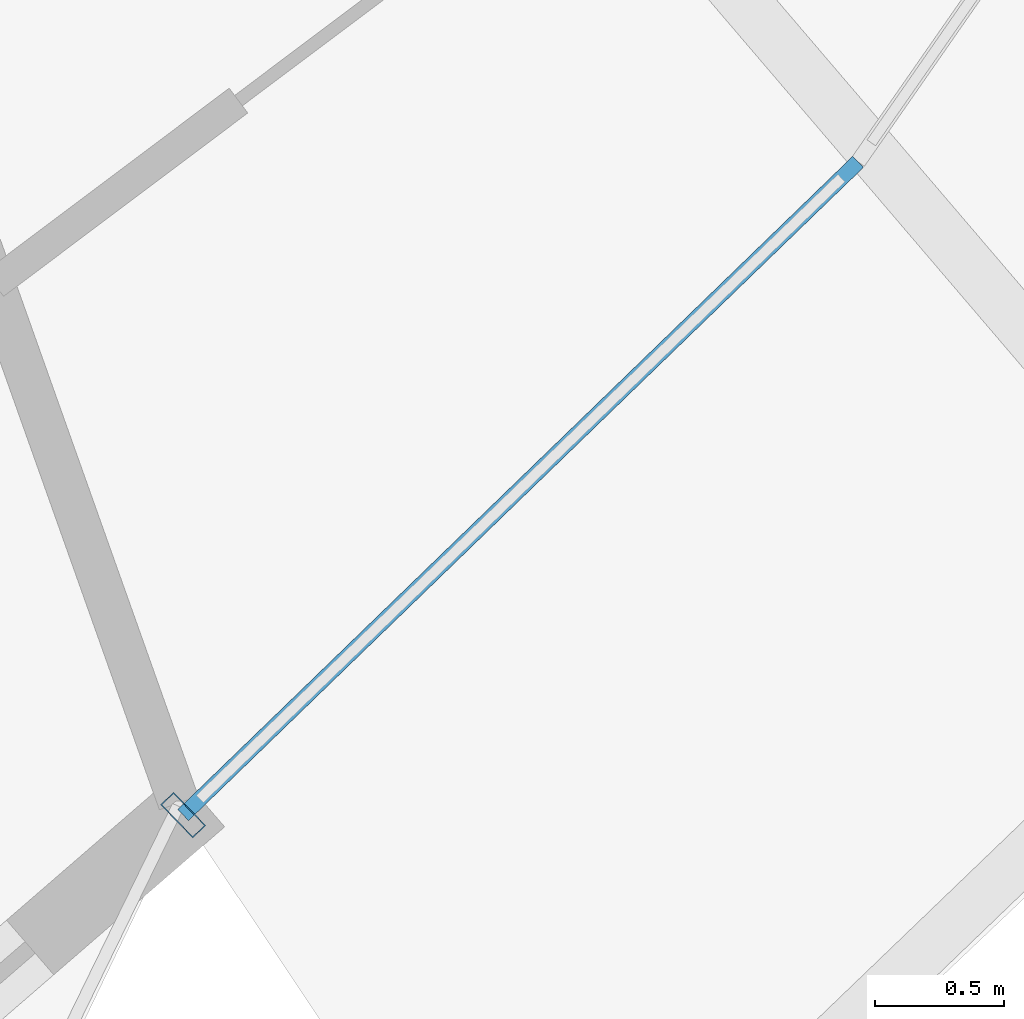
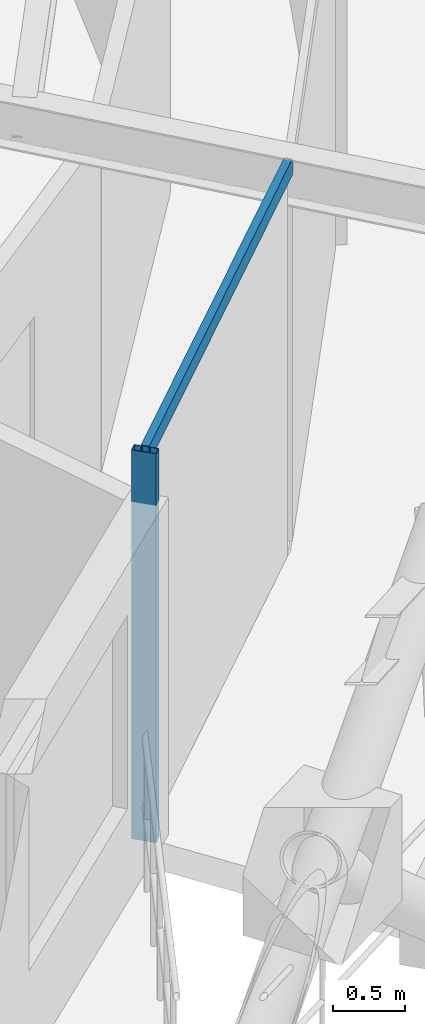
# One storey, part 2 of 15: 2 members, 1 element without a shape of its own.
"""IFC4 building model written with IfcOpenShell, lengths in metres."""

from ifc_helpers import new_model, si_unit, direction, frame, origin, origin_2d, place, context, subcontext, project, spatial, hollow_rectangle, extrude, material, layer, layer_set, material_profile, profile_set, type_object, element, aggregate, save


model = new_model("IFC4")

# Units and contexts
model_context = context("Model", 3, precision=1e-05, world=origin(), true_north=direction((0.0, 1.0)))
body_context = subcontext(model_context, "Body", "Model", "MODEL_VIEW")
ifc_project = project(units=[si_unit("LENGTHUNIT", "METRE"), si_unit("AREAUNIT", "SQUARE_METRE"), si_unit("VOLUMEUNIT", "CUBIC_METRE"), si_unit("PLANEANGLEUNIT", "RADIAN"), si_unit("MASSUNIT", "GRAM", prefix="KILO")], contexts=[model_context])

# Site, building, storey
site_placement = place(None, origin())
site = spatial("IfcSite", under=ifc_project, at=site_placement, CompositionType="ELEMENT")
building_placement = place(site_placement, origin())
building = spatial("IfcBuilding", under=site, at=building_placement, Name="Veldorina Hangang Commons", CompositionType="ELEMENT")
storey_placement = place(building_placement, frame((0.0, 0.0, 290.39990234375)))
storey = spatial("IfcBuildingStorey", under=building, at=storey_placement, Name="L76", CompositionType="ELEMENT", Elevation=290.39990234375)

# Curtain wall, members
ifc_material_1 = material(Name="Glass Low-E Selective", Category="glass")
ifc_layer = layer(ifc_material_1, 0.179931640625)
ifc_layer_set = layer_set([ifc_layer], Name="Glass Low-E Selective")
curtain_wall_type = type_object("IfcCurtainWallType", Name="CW-SYS-Z3", PredefinedType="NOTDEFINED", material=ifc_layer_set)
curtain_wall_placement = place(storey_placement, origin())
curtain_wall = element("IfcCurtainWall", 1, at=curtain_wall_placement, inside=storey, type_object=curtain_wall_type, Name="L76 unitised curtain wall CW-L76-R2", PredefinedType="NOTDEFINED")
ifc_material_2 = material(Name="Aluminium Anodized AA6063-T6", Category="aluminium")
ifc_material_profile_1 = material_profile(ifc_material_2, hollow_rectangle(XDim=0.070068359375, YDim=0.179931640625, WallThickness=0.00390625, at=origin_2d()), Name="ALU-RHS-180x70x4")
ifc_profile_set_1 = profile_set([ifc_material_profile_1], Name="Aluminium Anodized AA6063-T6")
member_type_1 = type_object("IfcMemberType", Name="CW-MUL-180", PredefinedType="MULLION", material=ifc_profile_set_1)
member_1_placement = place(storey_placement, frame((41.612060546875, 7.034423828125, 0.0), z_axis=(0.0, 0.0, 1.0), x_axis=(0.718551272686, 0.695473988386, 0.0)))
member_1 = element("IfcMember", 2, at=member_1_placement, type_object=member_type_1, Name="CW-L76-R2 vertical mullion 1", PredefinedType="MULLION", context=body_context, shape_type="SweptSolid", body=[
    extrude(hollow_rectangle(XDim=0.070068359375, YDim=0.179931640625, WallThickness=0.00390625, at=origin_2d()), origin(), (0.0, 0.0, 1.0), 3.320068359375),
])
ifc_material_profile_2 = material_profile(ifc_material_2, hollow_rectangle(XDim=0.06005859375, YDim=0.139892578125, WallThickness=0.00341796875, at=origin_2d()), Name="ALU-RHS-140x60x3.5")
ifc_profile_set_2 = profile_set([ifc_material_profile_2], Name="Aluminium Anodized AA6063-T6")
member_type_2 = type_object("IfcMemberType", Name="CW-TRN-140", PredefinedType="USERDEFINED", material=ifc_profile_set_2)
member_2_placement = place(storey_placement, frame((41.612060546875, 7.034423828125, 3.280029296875), z_axis=(0.718554680552, 0.695470467423, 0.0), x_axis=(-0.695470467423, 0.718554680552, 0.0)))
member_2 = element("IfcMember", 3, at=member_2_placement, type_object=member_type_2, Name="CW-L76-R2 facet 1 transom 1", ObjectType="TRANSOM", PredefinedType="USERDEFINED", context=body_context, shape_type="SweptSolid", body=[
    extrude(hollow_rectangle(XDim=0.06005859375, YDim=0.139892578125, WallThickness=0.00341796875, at=origin_2d()), origin(), (0.0, 0.0, 1.0), 3.648681640625),
])
aggregate(curtain_wall, [member_1, member_2])

save(model, "model.ifc")
